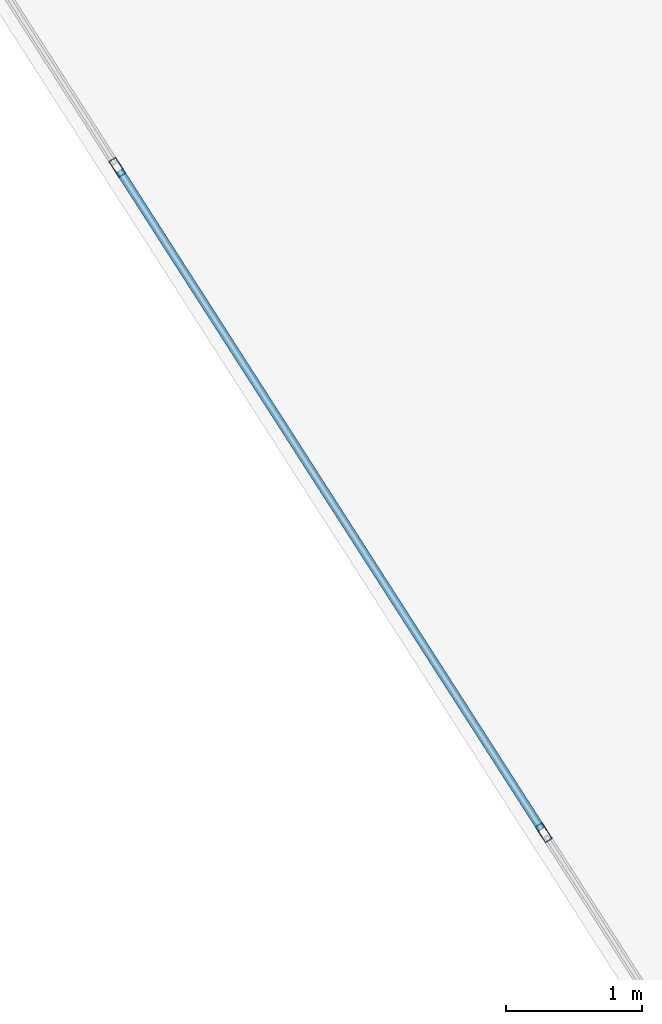
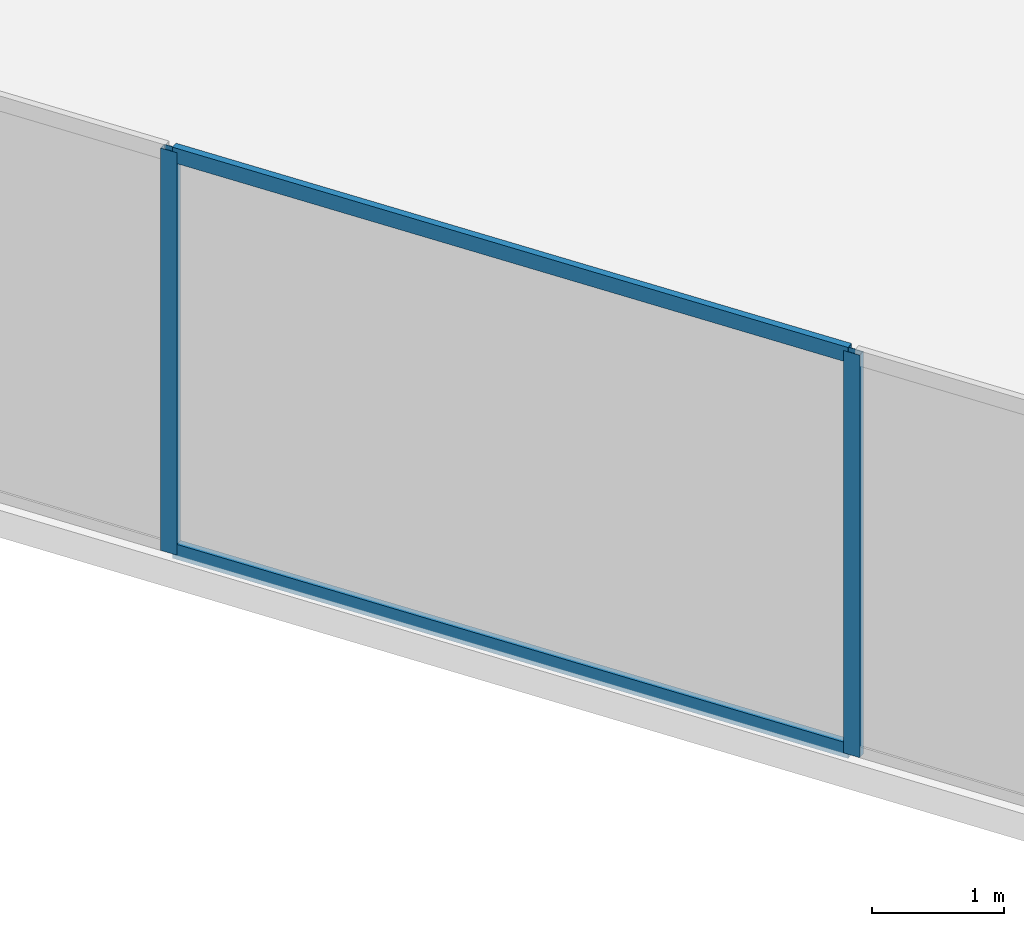
# One storey, part 17 of 26: 4 members, 1 element without a shape of its own.
"""IFC4 building model written with IfcOpenShell, lengths in metres."""

from ifc_helpers import new_model, si_unit, direction, frame, origin, origin_2d, place, context, subcontext, project, spatial, hollow_rectangle, extrude, material, layer, layer_set, material_profile, profile_set, type_object, element, aggregate, save


model = new_model("IFC4")

# Units and contexts
model_context = context("Model", 3, precision=1e-05, world=origin(), true_north=direction((0.0, 1.0)))
body_context = subcontext(model_context, "Body", "Model", "MODEL_VIEW")
ifc_project = project(units=[si_unit("LENGTHUNIT", "METRE"), si_unit("AREAUNIT", "SQUARE_METRE"), si_unit("VOLUMEUNIT", "CUBIC_METRE"), si_unit("PLANEANGLEUNIT", "RADIAN"), si_unit("MASSUNIT", "GRAM", prefix="KILO")], contexts=[model_context])

# Site, building, storey
site_placement = place(None, origin())
site = spatial("IfcSite", under=ifc_project, at=site_placement, CompositionType="ELEMENT")
building_placement = place(site_placement, origin())
building = spatial("IfcBuilding", under=site, at=building_placement, Name="Kravanh Interchange Tower", CompositionType="ELEMENT")
storey_placement = place(building_placement, frame((0.0, 0.0, 152.0)))
storey = spatial("IfcBuildingStorey", under=building, at=storey_placement, Name="L36", CompositionType="ELEMENT", Elevation=152.0)

# Curtain wall, members
ifc_material_1 = material(Name="Anodised Bronze Aluminium", Category="aluminium")
ifc_layer = layer(ifc_material_1, 0.179931640625)
ifc_layer_set = layer_set([ifc_layer], Name="Unitised Curtain Wall System CW-Z2 Mid Office")
curtain_wall_type = type_object("IfcCurtainWallType", Name="Unitised Curtain Wall System CW-Z2 Mid Office", PredefinedType="NOTDEFINED", material=ifc_layer_set)
curtain_wall_placement = place(storey_placement, origin())
curtain_wall = element("IfcCurtainWall", 1, at=curtain_wall_placement, inside=storey, type_object=curtain_wall_type, Name="L36 Unitised Curtain Wall CW-L36-04", PredefinedType="NOTDEFINED")
ifc_material_2 = material(Name="Anodised Bronze Aluminium", Category="aluminium")
ifc_material_profile_1 = material_profile(ifc_material_2, hollow_rectangle(XDim=0.06005859375, YDim=0.139892578125, WallThickness=0.00390625, at=origin_2d()), Name="ALU60X140X4")
ifc_profile_set_1 = profile_set([ifc_material_profile_1], Name="Anodised Bronze Aluminium")
member_type_1 = type_object("IfcMemberType", Name="Curtain Wall Mullion ALU60X140X4 Bronze", PredefinedType="MULLION", material=ifc_profile_set_1)
member_1_placement = place(storey_placement, frame((45.8828125, 16.12109375, 0.0), z_axis=(0.0, 0.0, 1.0), x_axis=(-0.841879939476, -0.539664865919, 0.0)))
member_1 = element("IfcMember", 2, at=member_1_placement, type_object=member_type_1, Name="CW-Z2 mullion 3", PredefinedType="MULLION", context=body_context, shape_type="SweptSolid", body=[
    extrude(hollow_rectangle(XDim=0.06005859375, YDim=0.139892578125, WallThickness=0.00390625, at=origin_2d()), origin(), (0.0, 0.0, 1.0), 3.719970703125),
])
member_2_placement = place(storey_placement, frame((42.741455078125, 21.021728515625, 0.0), z_axis=(0.0, 0.0, 1.0), x_axis=(-0.841879939476, -0.539664865919, 0.0)))
member_2 = element("IfcMember", 3, at=member_2_placement, type_object=member_type_1, Name="CW-Z2 mullion 4", PredefinedType="MULLION", context=body_context, shape_type="SweptSolid", body=[
    extrude(hollow_rectangle(XDim=0.06005859375, YDim=0.139892578125, WallThickness=0.00390625, at=origin_2d()), origin(), (0.0, 0.0, 1.0), 3.719970703125),
])
ifc_material_3 = material(Name="Anodised Bronze Aluminium", Category="aluminium")
ifc_material_profile_2 = material_profile(ifc_material_3, hollow_rectangle(XDim=0.06005859375, YDim=0.139892578125, WallThickness=0.00390625, at=origin_2d()), Name="ALU60X140X4")
ifc_profile_set_2 = profile_set([ifc_material_profile_2], Name="Anodised Bronze Aluminium")
member_type_2 = type_object("IfcMemberType", Name="Curtain Wall Transom ALU60X140X4 Bronze", PredefinedType="USERDEFINED", material=ifc_profile_set_2)
member_3_placement = place(storey_placement, frame((45.86669921875, 16.146484375, 0.030029296875), z_axis=(-0.539677666788, 0.84187173368, 0.0), x_axis=(-0.84187173368, -0.539677666788, 0.0)))
member_3 = element("IfcMember", 4, at=member_3_placement, type_object=member_type_2, Name="CW-Z2 transom 3.1", ObjectType="TRANSOM", PredefinedType="USERDEFINED", context=body_context, shape_type="SweptSolid", body=[
    extrude(hollow_rectangle(XDim=0.06005859375, YDim=0.139892578125, WallThickness=0.00390625, at=origin_2d()), origin(), (0.0, 0.0, 1.0), 5.760986328125),
])
member_4_placement = place(storey_placement, frame((45.86669921875, 16.146484375, 3.68994140625), z_axis=(-0.539677666788, 0.84187173368, 0.0), x_axis=(-0.84187173368, -0.539677666788, 0.0)))
member_4 = element("IfcMember", 5, at=member_4_placement, type_object=member_type_2, Name="CW-Z2 transom 3.2", ObjectType="TRANSOM", PredefinedType="USERDEFINED", context=body_context, shape_type="SweptSolid", body=[
    extrude(hollow_rectangle(XDim=0.06005859375, YDim=0.139892578125, WallThickness=0.00390625, at=origin_2d()), origin(), (0.0, 0.0, 1.0), 5.760986328125),
])
aggregate(curtain_wall, [member_1, member_2, member_3, member_4])

save(model, "model.ifc")
